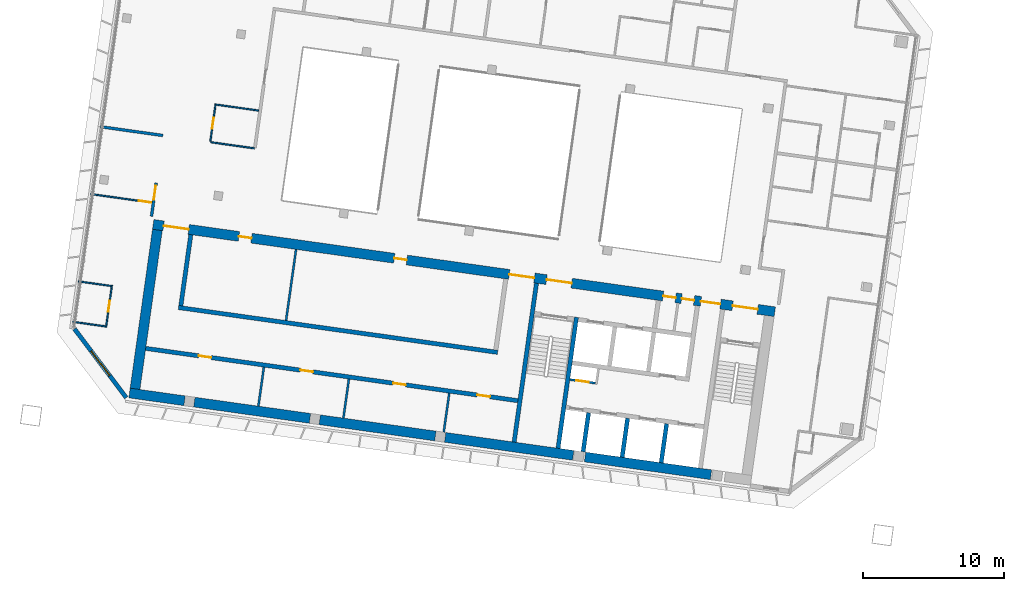
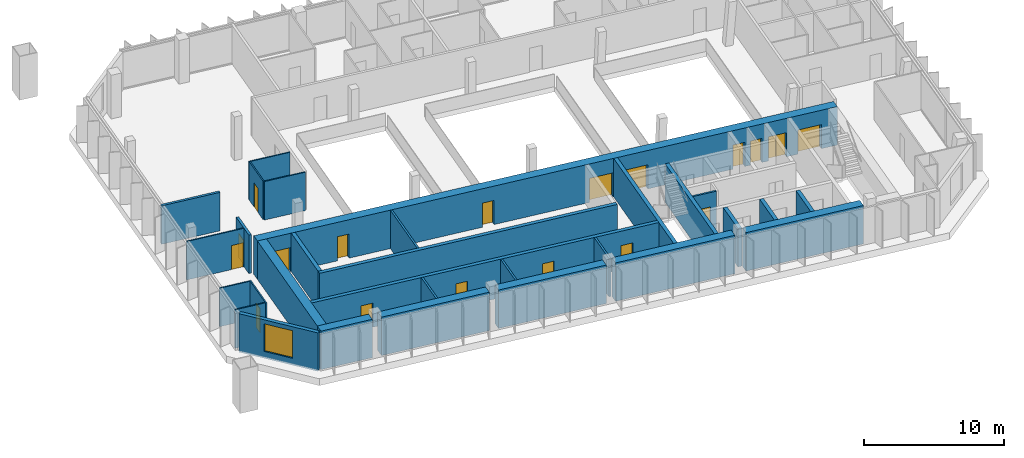
# One storey, part 13 of 23: 30 walls, 18 doors, 1 window, 19 openings.
"""IFC4 building model written with IfcOpenShell, lengths in metres."""

from ifc_helpers import new_model, si_unit, direction, frame, frame_2d, origin, place, context, subcontext, project, spatial, rectangle, extrude, material, layer, layer_set, type_object, element, fill, save


model = new_model("IFC4")

# Units and contexts
model_context = context("Model", 3, precision=1e-05, world=origin(), true_north=direction((0.0, 1.0)))
body_context = subcontext(model_context, "Body", "Model", "MODEL_VIEW")
ifc_project = project(units=[si_unit("LENGTHUNIT", "METRE"), si_unit("AREAUNIT", "SQUARE_METRE"), si_unit("VOLUMEUNIT", "CUBIC_METRE"), si_unit("PLANEANGLEUNIT", "RADIAN"), si_unit("MASSUNIT", "GRAM", prefix="KILO")], contexts=[model_context])

# Site, building, storey
site_placement = place(None, origin())
site = spatial("IfcSite", under=ifc_project, at=site_placement, CompositionType="ELEMENT")
building_placement = place(site_placement, origin())
building = spatial("IfcBuilding", under=site, at=building_placement, Name="Mirante Cascada Hotel Towers", CompositionType="ELEMENT")
storey_placement = place(building_placement, frame((0.0, 0.0, 199.2)))
storey = spatial("IfcBuildingStorey", under=building, at=storey_placement, Name="L47", CompositionType="ELEMENT", Elevation=199.2)

# Wall
ifc_material_1 = material(Name="Fire-rated plasterboard on metal studs")
ifc_layer_1 = layer(ifc_material_1, 0.2)
ifc_layer_set_1 = layer_set([ifc_layer_1], Name="Compartment wall 200 EI 120")
wall_type_1 = type_object("IfcWallType", Name="Compartment wall 200 EI 120", PredefinedType="PARTITIONING", material=ifc_layer_set_1)
wall_1_placement = place(storey_placement, frame((-79.0183, 4.8891, 0.0), z_axis=(0.0, 0.0, 1.0), x_axis=(-0.9902705, 0.1391561, 0.0)))
element("IfcWall", 1, at=wall_1_placement, inside=storey, type_object=wall_type_1, Name="Wall 1-L47-10", PredefinedType="PARTITIONING", context=body_context, shape_type="SweptSolid", body=[
    extrude(rectangle(XDim=4.5, YDim=0.2, at=frame_2d((2.25, 0.0))), origin(), (0.0, 0.0, 1.0), 3.35),
])

# Wall, opening, door
wall_2_placement = place(storey_placement, frame((-79.4915, 1.5222, 0.0), z_axis=(0.0, 0.0, 1.0), x_axis=(-0.1391635, -0.9902694, 0.0)))
wall_2 = element("IfcWall", 2, at=wall_2_placement, inside=storey, type_object=wall_type_1, Name="Wall 1-L47-55", PredefinedType="PARTITIONING", context=body_context, shape_type="SweptSolid", body=[
    extrude(rectangle(XDim=2.4001, YDim=0.2, at=frame_2d((1.2, 0.0))), origin(), (0.0, 0.0, 1.0), 3.35),
])
opening_1_placement = place(wall_2_placement, frame((0.2167, 0.0, 0.0)))
opening_1 = element("IfcOpeningElement", 3, at=opening_1_placement, cuts=wall_2, Name="Opening D1-L47-33", PredefinedType="OPENING", context=body_context, shape_type="SweptSolid", body=[
    extrude(rectangle(XDim=1.0, YDim=2.1, at=frame_2d((0.5, 1.05))), frame((0.0, 0.1, 0.0), z_axis=(0.0, -1.0, 0.0), x_axis=(1.0, 0.0, 0.0)), (0.0, 0.0, 1.0), 0.2),
])
ifc_material_2 = material(Name="Fire-rated timber door leaf", Category="wood")
door_type_1 = type_object("IfcDoorType", Name="Entrance door DG1 1000x2100 EI 60", OperationType="SINGLE_SWING_LEFT", PredefinedType="DOOR", material=ifc_material_2)
door_1_placement = place(opening_1_placement, frame((1.0, 0.0, 0.0), z_axis=(0.0, 0.0, 1.0), x_axis=(-1.0, 0.0, 0.0)))
door_1 = element("IfcDoor", 4, at=door_1_placement, inside=storey, type_object=door_type_1, Name="Door D1-L47-33", OperationType="SINGLE_SWING_RIGHT", OverallHeight=2.1, OverallWidth=1.0, PredefinedType="DOOR", context=body_context, shape_type="SweptSolid", body=[
    extrude(rectangle(XDim=1.0, YDim=2.1, at=frame_2d((0.5, 1.05))), frame((0.0, 0.025, 0.0), z_axis=(0.0, -1.0, 0.0), x_axis=(1.0, 0.0, 0.0)), (0.0, 0.0, 1.0), 0.05),
])
fill(opening_1, door_1)

ifc_material_3 = material(Name="Masonry block", Category="masonry")
ifc_layer_2 = layer(ifc_material_3, 0.15)
ifc_layer_set_2 = layer_set([ifc_layer_2], Name="Core room partition 150 block EI 30")
wall_type_2 = type_object("IfcWallType", Name="Core room partition 150 block EI 30", PredefinedType="PARTITIONING", material=ifc_layer_set_2)
wall_3_placement = place(storey_placement, frame((-48.2933, -12.7083, 0.0), z_axis=(0.0, 0.0, 1.0), x_axis=(-0.990268, 0.1391734, 0.0)))
wall_3 = element("IfcWall", 5, at=wall_3_placement, inside=storey, type_object=wall_type_2, Name="Core wall partition T1 L47 3", PredefinedType="PARTITIONING", context=body_context, shape_type="SweptSolid", body=[
    extrude(rectangle(XDim=1.8251, YDim=0.15, at=frame_2d((0.9126, 0.0))), origin(), (0.0, 0.0, 1.0), 3.35),
])
opening_2_placement = place(wall_3_placement, frame((0.4625, 0.0, 0.0)))
opening_2 = element("IfcOpeningElement", 6, at=opening_2_placement, cuts=wall_3, Name="Opening D1-47-C15", PredefinedType="OPENING", context=body_context, shape_type="SweptSolid", body=[
    extrude(rectangle(XDim=0.9, YDim=2.1, at=frame_2d((0.45, 1.05))), frame((0.0, 0.075, 0.0), z_axis=(0.0, -1.0, 0.0), x_axis=(1.0, 0.0, 0.0)), (0.0, 0.0, 1.0), 0.15),
])
ifc_material_4 = material(Name="Hollow metal fire door leaf")
door_type_2 = type_object("IfcDoorType", Name="Fire door 900x2100 FD60", OperationType="NOTDEFINED", PredefinedType="DOOR", material=ifc_material_4)
door_2_placement = place(opening_2_placement, origin())
door_2 = element("IfcDoor", 7, at=door_2_placement, inside=storey, type_object=door_type_2, Name="Riser door T1 L47 15", OperationType="SINGLE_SWING_LEFT", OverallHeight=2.1, OverallWidth=0.9, PredefinedType="DOOR", context=body_context, shape_type="SweptSolid", body=[
    extrude(rectangle(XDim=0.9, YDim=2.1, at=frame_2d((0.45, 1.05))), frame((0.0, 0.025, 0.0), z_axis=(0.0, -1.0, 0.0), x_axis=(1.0, 0.0, 0.0)), (0.0, 0.0, 1.0), 0.05),
])
fill(opening_2, door_2)

# Walls
for number, where, z_axis, x_axis, name in (
    (8, (-59.0582, -16.194, 0.0), (0.0, 0.0, 1.0), (0.139181, 0.990267, 0.0), "Core wall partition T1 L47 6"),
    (9, (-66.1881, -15.192, 0.0), (0.0, 0.0, 1.0), (0.139141, 0.9902726, 0.0), "Core wall partition T1 L47 7"),
    (10, (-72.2288, -14.343, 0.0), (0.0, 0.0, 1.0), (0.139181, 0.990267, 0.0), "Core wall partition T1 L47 8"),
):
    element("IfcWall", number, at=place(storey_placement, frame(where, z_axis=z_axis, x_axis=x_axis)), inside=storey, type_object=wall_type_2, Name=name, PredefinedType="PARTITIONING", context=body_context, shape_type="SweptSolid", body=[
        extrude(rectangle(XDim=2.8, YDim=0.15, at=frame_2d((1.4, 0.0))), origin(), (0.0, 0.0, 1.0), 3.35),
    ])
wall_4_placement = place(storey_placement, frame((-70.2627, -8.2574, 0.0), z_axis=(0.0, 0.0, 1.0), x_axis=(0.1391755, 0.9902677, 0.0)))
element("IfcWall", 11, at=wall_4_placement, inside=storey, type_object=wall_type_2, Name="Core wall partition T1 L47 9", PredefinedType="PARTITIONING", context=body_context, shape_type="SweptSolid", body=[
    extrude(rectangle(XDim=5.1, YDim=0.15, at=frame_2d((2.55, 0.0))), origin(), (0.0, 0.0, 1.0), 3.35),
])

# Wall, openings, doors
ifc_material_5 = material(Name="Masonry block", Category="masonry")
ifc_layer_3 = layer(ifc_material_5, 0.3)
ifc_layer_set_3 = layer_set([ifc_layer_3], Name="Core wall 300 block EI 120")
wall_type_3 = type_object("IfcWallType", Name="Core wall 300 block EI 120", PredefinedType="PARTITIONING", material=ifc_layer_set_3)
wall_5_placement = place(storey_placement, frame((-53.7953, -13.9547, 0.0), z_axis=(0.0, 0.0, 1.0), x_axis=(-0.9902677, 0.1391758, 0.0)))
wall_5 = element("IfcWall", 12, at=wall_5_placement, inside=storey, type_object=wall_type_3, Name="Core wall partition T1 L47 5", PredefinedType="PARTITIONING", context=body_context, shape_type="SweptSolid", body=[
    extrude(rectangle(XDim=26.7001, YDim=0.3, at=frame_2d((13.35, 0.0))), origin(), (0.0, 0.0, 1.0), 3.35),
])
opening_3_placement = place(wall_5_placement, frame((2.0, 0.0, 0.0)))
opening_3 = element("IfcOpeningElement", 13, at=opening_3_placement, cuts=wall_5, Name="Opening D1-47-C18", PredefinedType="OPENING", context=body_context, shape_type="SweptSolid", body=[
    extrude(rectangle(XDim=0.9, YDim=2.1, at=frame_2d((0.45, 1.05))), frame((0.0, 0.15, 0.0), z_axis=(0.0, -1.0, 0.0), x_axis=(1.0, 0.0, 0.0)), (0.0, 0.0, 1.0), 0.3),
])
opening_4_placement = place(wall_5_placement, frame((8.05, 0.0, 0.0)))
opening_4 = element("IfcOpeningElement", 14, at=opening_4_placement, cuts=wall_5, Name="Opening D1-47-C19", PredefinedType="OPENING", context=body_context, shape_type="SweptSolid", body=[
    extrude(rectangle(XDim=0.9, YDim=2.1, at=frame_2d((0.45, 1.05))), frame((0.0, 0.15, 0.0), z_axis=(0.0, -1.0, 0.0), x_axis=(1.0, 0.0, 0.0)), (0.0, 0.0, 1.0), 0.3),
])
opening_5_placement = place(wall_5_placement, frame((14.7, 0.0, 0.0)))
opening_5 = element("IfcOpeningElement", 15, at=opening_5_placement, cuts=wall_5, Name="Opening D1-47-C20", PredefinedType="OPENING", context=body_context, shape_type="SweptSolid", body=[
    extrude(rectangle(XDim=0.9, YDim=2.1, at=frame_2d((0.45, 1.05))), frame((0.0, 0.15, 0.0), z_axis=(0.0, -1.0, 0.0), x_axis=(1.0, 0.0, 0.0)), (0.0, 0.0, 1.0), 0.3),
])
opening_6_placement = place(wall_5_placement, frame((22.0, 0.0, 0.0)))
opening_6 = element("IfcOpeningElement", 16, at=opening_6_placement, cuts=wall_5, Name="Opening D1-47-C21", PredefinedType="OPENING", context=body_context, shape_type="SweptSolid", body=[
    extrude(rectangle(XDim=0.9, YDim=2.1, at=frame_2d((0.45, 1.05))), frame((0.0, 0.15, 0.0), z_axis=(0.0, -1.0, 0.0), x_axis=(1.0, 0.0, 0.0)), (0.0, 0.0, 1.0), 0.3),
])
door_3_placement = place(opening_3_placement, origin())
door_3 = element("IfcDoor", 17, at=door_3_placement, inside=storey, type_object=door_type_2, Name="Room door T1 L47 18", OperationType="SINGLE_SWING_RIGHT", OverallHeight=2.1, OverallWidth=0.9, PredefinedType="DOOR", context=body_context, shape_type="SweptSolid", body=[
    extrude(rectangle(XDim=0.9, YDim=2.1, at=frame_2d((0.45, 1.05))), frame((0.0, 0.025, 0.0), z_axis=(0.0, -1.0, 0.0), x_axis=(1.0, 0.0, 0.0)), (0.0, 0.0, 1.0), 0.05),
])
fill(opening_3, door_3)
door_4_placement = place(opening_4_placement, origin())
door_4 = element("IfcDoor", 18, at=door_4_placement, inside=storey, type_object=door_type_2, Name="Room door T1 L47 19", OperationType="SINGLE_SWING_RIGHT", OverallHeight=2.1, OverallWidth=0.9, PredefinedType="DOOR", context=body_context, shape_type="SweptSolid", body=[
    extrude(rectangle(XDim=0.9, YDim=2.1, at=frame_2d((0.45, 1.05))), frame((0.0, 0.025, 0.0), z_axis=(0.0, -1.0, 0.0), x_axis=(1.0, 0.0, 0.0)), (0.0, 0.0, 1.0), 0.05),
])
fill(opening_4, door_4)
door_5_placement = place(opening_5_placement, origin())
door_5 = element("IfcDoor", 19, at=door_5_placement, inside=storey, type_object=door_type_2, Name="Room door T1 L47 20", OperationType="SINGLE_SWING_LEFT", OverallHeight=2.1, OverallWidth=0.9, PredefinedType="DOOR", context=body_context, shape_type="SweptSolid", body=[
    extrude(rectangle(XDim=0.9, YDim=2.1, at=frame_2d((0.45, 1.05))), frame((0.0, 0.025, 0.0), z_axis=(0.0, -1.0, 0.0), x_axis=(1.0, 0.0, 0.0)), (0.0, 0.0, 1.0), 0.05),
])
fill(opening_5, door_5)
door_6_placement = place(opening_6_placement, origin())
door_6 = element("IfcDoor", 20, at=door_6_placement, inside=storey, type_object=door_type_2, Name="Room door T1 L47 21", OperationType="SINGLE_SWING_LEFT", OverallHeight=2.1, OverallWidth=0.9, PredefinedType="DOOR", context=body_context, shape_type="SweptSolid", body=[
    extrude(rectangle(XDim=0.9, YDim=2.1, at=frame_2d((0.45, 1.05))), frame((0.0, 0.025, 0.0), z_axis=(0.0, -1.0, 0.0), x_axis=(1.0, 0.0, 0.0)), (0.0, 0.0, 1.0), 0.05),
])
fill(opening_6, door_6)

# Walls
ifc_material_6 = material(Name="Plasterboard on metal studs")
ifc_layer_4 = layer(ifc_material_6, 0.1)
ifc_layer_set_4 = layer_set([ifc_layer_4], Name="Partition 100")
wall_type_4 = type_object("IfcWallType", Name="Partition 100", PredefinedType="PARTITIONING", material=ifc_layer_set_4)
for number, where, z_axis, x_axis, name in (
    (21, (-85.4229, -8.3484, 0.0), (0.0, 0.0, 1.0), (0.9902653, -0.1391929, 0.0), "Wall 1-L47-03"),
    (22, (-82.6922, -5.8037, 0.0), (0.0, 0.0, 1.0), (-0.9902653, 0.1391929, 0.0), "Wall 1-L47-04"),
):
    element("IfcWall", number, at=place(storey_placement, frame(where, z_axis=z_axis, x_axis=x_axis)), inside=storey, type_object=wall_type_4, Name=name, PredefinedType="PARTITIONING", context=body_context, shape_type="SweptSolid", body=[
        extrude(rectangle(XDim=2.35, YDim=0.1, at=frame_2d((1.175, 0.0))), origin(), (0.0, 0.0, 1.0), 3.35),
    ])

# Wall, opening, door
wall_6_placement = place(storey_placement, frame((-79.79, 0.1167, 0.0), z_axis=(0.0, 0.0, 1.0), x_axis=(-0.9902665, 0.1391841, 0.0)))
wall_6 = element("IfcWall", 23, at=wall_6_placement, inside=storey, type_object=wall_type_4, Name="Wall 1-L47-06", PredefinedType="PARTITIONING", context=body_context, shape_type="SweptSolid", body=[
    extrude(rectangle(XDim=4.3999, YDim=0.1, at=frame_2d((2.2, 0.0))), origin(), (0.0, 0.0, 1.0), 3.35),
])
opening_7_placement = place(wall_6_placement, frame((0.05, 0.0, 0.0)))
opening_7 = element("IfcOpeningElement", 24, at=opening_7_placement, cuts=wall_6, Name="Opening D1-L47-01", PredefinedType="OPENING", context=body_context, shape_type="SweptSolid", body=[
    extrude(rectangle(XDim=0.9, YDim=2.1, at=frame_2d((0.45, 1.05))), frame((0.0, 0.05, 0.0), z_axis=(0.0, -1.0, 0.0), x_axis=(1.0, 0.0, 0.0)), (0.0, 0.0, 1.0), 0.1),
])
ifc_material_7 = material(Name="Timber door leaf", Category="wood")
door_type_3 = type_object("IfcDoorType", Name="Room door DG3 900x2100", OperationType="SINGLE_SWING_LEFT", PredefinedType="DOOR", material=ifc_material_7)
door_7_placement = place(opening_7_placement, origin())
door_7 = element("IfcDoor", 25, at=door_7_placement, inside=storey, type_object=door_type_3, Name="Door D1-L47-01", OperationType="SINGLE_SWING_LEFT", OverallHeight=2.1, OverallWidth=0.9, PredefinedType="DOOR", context=body_context, shape_type="SweptSolid", body=[
    extrude(rectangle(XDim=0.9, YDim=2.1, at=frame_2d((0.45, 1.05))), frame((0.0, 0.025, 0.0), z_axis=(0.0, -1.0, 0.0), x_axis=(1.0, 0.0, 0.0)), (0.0, 0.0, 1.0), 0.05),
])
fill(opening_7, door_7)

# Walls
wall_7_placement = place(storey_placement, frame((-75.6216, 4.4117, 0.0), z_axis=(0.0, 0.0, 1.0), x_axis=(0.990268, -0.1391738, 0.0)))
element("IfcWall", 26, at=wall_7_placement, inside=storey, type_object=wall_type_4, Name="Wall 1-L47-09", PredefinedType="PARTITIONING", context=body_context, shape_type="SweptSolid", body=[
    extrude(rectangle(XDim=3.14, YDim=0.1, at=frame_2d((1.57, 0.0))), origin(), (0.0, 0.0, 1.0), 3.35),
])
wall_8_placement = place(storey_placement, frame((-75.3251, 7.0966, 0.0), z_axis=(0.0, 0.0, 1.0), x_axis=(0.9902676, -0.1391765, 0.0)))
element("IfcWall", 27, at=wall_8_placement, inside=storey, type_object=wall_type_4, Name="Wall 1-L47-13", PredefinedType="PARTITIONING", context=body_context, shape_type="SweptSolid", body=[
    extrude(rectangle(XDim=3.15, YDim=0.1, at=frame_2d((1.575, 0.0))), origin(), (0.0, 0.0, 1.0), 3.35),
])

# Wall, opening, door
wall_9_placement = place(storey_placement, frame((-75.6444, 4.4654, 0.0), z_axis=(0.0, 0.0, 1.0), x_axis=(0.1391918, 0.9902654, 0.0)))
wall_9 = element("IfcWall", 28, at=wall_9_placement, inside=storey, type_object=wall_type_4, Name="Wall 1-L47-54", PredefinedType="PARTITIONING", context=body_context, shape_type="SweptSolid", body=[
    extrude(rectangle(XDim=2.6, YDim=0.1, at=frame_2d((1.3, 0.0))), origin(), (0.0, 0.0, 1.0), 3.35),
])
opening_8_placement = place(wall_9_placement, frame((0.9, 0.0, 0.0)))
opening_8 = element("IfcOpeningElement", 29, at=opening_8_placement, cuts=wall_9, Name="Opening D1-L47-32", PredefinedType="OPENING", context=body_context, shape_type="SweptSolid", body=[
    extrude(rectangle(XDim=0.8, YDim=2.1, at=frame_2d((0.4, 1.05))), frame((0.0, 0.05, 0.0), z_axis=(0.0, -1.0, 0.0), x_axis=(1.0, 0.0, 0.0)), (0.0, 0.0, 1.0), 0.1),
])
ifc_material_8 = material(Name="Timber door leaf", Category="wood")
door_type_4 = type_object("IfcDoorType", Name="Bathroom door DG4 800x2100", OperationType="SINGLE_SWING_LEFT", PredefinedType="DOOR", material=ifc_material_8)
door_8_placement = place(opening_8_placement, origin())
door_8 = element("IfcDoor", 30, at=door_8_placement, inside=storey, type_object=door_type_4, Name="Door D1-L47-32", OperationType="SINGLE_SWING_LEFT", OverallHeight=2.1, OverallWidth=0.8, PredefinedType="DOOR", context=body_context, shape_type="SweptSolid", body=[
    extrude(rectangle(XDim=0.8, YDim=2.1, at=frame_2d((0.4, 1.05))), frame((0.0, 0.025, 0.0), z_axis=(0.0, -1.0, 0.0), x_axis=(1.0, 0.0, 0.0)), (0.0, 0.0, 1.0), 0.05),
])
fill(opening_8, door_8)

wall_10_placement = place(storey_placement, frame((-83.0532, -8.7319, 0.0), z_axis=(0.0, 0.0, 1.0), x_axis=(0.139167, 0.9902689, 0.0)))
wall_10 = element("IfcWall", 31, at=wall_10_placement, inside=storey, type_object=wall_type_4, Name="Wall 1-L47-56", PredefinedType="PARTITIONING", context=body_context, shape_type="SweptSolid", body=[
    extrude(rectangle(XDim=3.0, YDim=0.1, at=frame_2d((1.5, 0.0))), origin(), (0.0, 0.0, 1.0), 3.35),
])
opening_9_placement = place(wall_10_placement, frame((1.1, 0.0, 0.0)))
opening_9 = element("IfcOpeningElement", 32, at=opening_9_placement, cuts=wall_10, Name="Opening D1-L47-34", PredefinedType="OPENING", context=body_context, shape_type="SweptSolid", body=[
    extrude(rectangle(XDim=0.8, YDim=2.1, at=frame_2d((0.4, 1.05))), frame((0.0, 0.05, 0.0), z_axis=(0.0, -1.0, 0.0), x_axis=(1.0, 0.0, 0.0)), (0.0, 0.0, 1.0), 0.1),
])
door_9_placement = place(opening_9_placement, frame((0.8, 0.0, 0.0), z_axis=(0.0, 0.0, 1.0), x_axis=(-1.0, 0.0, 0.0)))
door_9 = element("IfcDoor", 33, at=door_9_placement, inside=storey, type_object=door_type_4, Name="Door D1-L47-34", OperationType="SINGLE_SWING_RIGHT", OverallHeight=2.1, OverallWidth=0.8, PredefinedType="DOOR", context=body_context, shape_type="SweptSolid", body=[
    extrude(rectangle(XDim=0.8, YDim=2.1, at=frame_2d((0.4, 1.05))), frame((0.0, 0.025, 0.0), z_axis=(0.0, -1.0, 0.0), x_axis=(1.0, 0.0, 0.0)), (0.0, 0.0, 1.0), 0.05),
])
fill(opening_9, door_9)

# Wall, opening, window
ifc_material_9 = material(Name="Precast concrete C40/50", Category="concrete")
ifc_layer_5 = layer(ifc_material_9, 0.3)
ifc_layer_set_5 = layer_set([ifc_layer_5], Name="Precast concrete C40/50 cladding wall 300")
wall_type_5 = type_object("IfcWallType", Name="Precast concrete C40/50 cladding wall 300", PredefinedType="STANDARD", material=ifc_layer_set_5)
wall_11_placement = place(storey_placement, frame((-81.6175, -13.7366, 0.0), z_axis=(0.0, 0.0, 1.0), x_axis=(-0.6018141, 0.7986362, 0.0)))
wall_11 = element("IfcWall", 34, at=wall_11_placement, inside=storey, type_object=wall_type_5, Name="Corner cladding wall T1 L47 rear outer", PredefinedType="STANDARD", context=body_context, shape_type="SweptSolid", body=[
    extrude(rectangle(XDim=6.1157, YDim=0.3, at=frame_2d((3.0578, 0.0))), origin(), (0.0, 0.0, 1.0), 3.35),
])
opening_10_placement = place(wall_11_placement, frame((1.9578, 0.0, 0.6)))
opening_10 = element("IfcOpeningElement", 35, at=opening_10_placement, cuts=wall_11, Name="Opening W1-47-01", PredefinedType="OPENING", context=body_context, shape_type="SweptSolid", body=[
    extrude(rectangle(XDim=2.2, YDim=2.4, at=frame_2d((1.1, 1.2))), frame((0.0, 0.15, 0.0), z_axis=(0.0, -1.0, 0.0), x_axis=(1.0, 0.0, 0.0)), (0.0, 0.0, 1.0), 0.3),
])
ifc_material_10 = material(Name="Aluminium frame with clear double glazing", Category="aluminium")
window_type = type_object("IfcWindowType", Name="Corner suite window 2200x2400", PartitioningType="DOUBLE_PANEL_VERTICAL", PredefinedType="WINDOW", material=ifc_material_10)
window_placement = place(opening_10_placement, origin())
window = element("IfcWindow", 36, at=window_placement, inside=storey, type_object=window_type, Name="Window W1-47-01", OverallHeight=2.4, OverallWidth=2.2, PartitioningType="SINGLE_PANEL", PredefinedType="WINDOW", context=body_context, shape_type="SweptSolid", body=[
    extrude(rectangle(XDim=2.2, YDim=2.4, at=frame_2d((1.1, 1.2))), frame((0.0, 0.03, 0.0), z_axis=(0.0, -1.0, 0.0), x_axis=(1.0, 0.0, 0.0)), (0.0, 0.0, 1.0), 0.06),
])
fill(opening_10, window)

# Walls
ifc_material_11 = material(Name="Concrete C50/60", Category="concrete")
ifc_layer_6 = layer(ifc_material_11, 0.3)
ifc_layer_set_6 = layer_set([ifc_layer_6], Name="RC core wall 300 C50/60")
wall_type_6 = type_object("IfcWallType", Name="RC core wall 300 C50/60", PredefinedType="SHEAR", material=ifc_layer_set_6)
wall_12_placement = place(storey_placement, frame((-50.938, -17.3352, 0.0), z_axis=(0.0, 0.0, 1.0), x_axis=(0.1391706, 0.9902684, 0.0)))
element("IfcWall", 37, at=wall_12_placement, inside=storey, type_object=wall_type_6, Name="Core wall T1:L47:6", PredefinedType="SHEAR", context=body_context, shape_type="SweptSolid", body=[
    extrude(rectangle(XDim=9.4, YDim=0.3, at=frame_2d((4.7, 0.0))), origin(), (0.0, 0.0, 1.0), 3.35),
])
wall_13_placement = place(storey_placement, frame((-54.0574, -16.8968, 0.0), z_axis=(0.0, 0.0, 1.0), x_axis=(0.1391761, 0.9902677, 0.0)))
element("IfcWall", 38, at=wall_13_placement, inside=storey, type_object=wall_type_6, Name="Core wall T1:L47:7", PredefinedType="SHEAR", context=body_context, shape_type="SweptSolid", body=[
    extrude(rectangle(XDim=11.3999, YDim=0.3, at=frame_2d((5.7, 0.0))), origin(), (0.0, 0.0, 1.0), 3.35),
])
wall_14_placement = place(storey_placement, frame((-43.61, -18.3651, 0.0), z_axis=(0.0, 0.0, 1.0), x_axis=(0.1391459, 0.9902719, 0.0)))
element("IfcWall", 39, at=wall_14_placement, inside=storey, type_object=wall_type_6, Name="Core wall T1:L47:13", PredefinedType="SHEAR", context=body_context, shape_type="SweptSolid", body=[
    extrude(rectangle(XDim=2.7999, YDim=0.3, at=frame_2d((1.4, 0.0))), origin(), (0.0, 0.0, 1.0), 3.35),
])
wall_15_placement = place(storey_placement, frame((-46.3828, -17.9754, 0.0), z_axis=(0.0, 0.0, 1.0), x_axis=(0.139181, 0.990267, 0.0)))
element("IfcWall", 40, at=wall_15_placement, inside=storey, type_object=wall_type_6, Name="Core wall T1:L47:14", PredefinedType="SHEAR", context=body_context, shape_type="SweptSolid", body=[
    extrude(rectangle(XDim=2.8, YDim=0.3, at=frame_2d((1.4, 0.0))), origin(), (0.0, 0.0, 1.0), 3.35),
])
wall_16_placement = place(storey_placement, frame((-49.1555, -17.5857, 0.0), z_axis=(0.0, 0.0, 1.0), x_axis=(0.1391459, 0.9902719, 0.0)))
element("IfcWall", 41, at=wall_16_placement, inside=storey, type_object=wall_type_6, Name="Core wall T1:L47:15", PredefinedType="SHEAR", context=body_context, shape_type="SweptSolid", body=[
    extrude(rectangle(XDim=2.7999, YDim=0.3, at=frame_2d((1.4, 0.0))), origin(), (0.0, 0.0, 1.0), 3.35),
])
wall_17_placement = place(storey_placement, frame((-55.2315, -10.5214, 0.0), z_axis=(0.0, 0.0, 1.0), x_axis=(-0.9902678, 0.1391749, 0.0)))
element("IfcWall", 42, at=wall_17_placement, inside=storey, type_object=wall_type_6, Name="Core wall T1:L47:27", PredefinedType="SHEAR", context=body_context, shape_type="SweptSolid", body=[
    extrude(rectangle(XDim=22.9, YDim=0.3, at=frame_2d((11.45, 0.0))), origin(), (0.0, 0.0, 1.0), 3.35),
])
wall_18_placement = place(storey_placement, frame((-77.7392, -7.2067, 0.0), z_axis=(0.0, 0.0, 1.0), x_axis=(0.1391755, 0.9902677, 0.0)))
element("IfcWall", 43, at=wall_18_placement, inside=storey, type_object=wall_type_6, Name="Core wall T1:L47:29", PredefinedType="SHEAR", context=body_context, shape_type="SweptSolid", body=[
    extrude(rectangle(XDim=5.1, YDim=0.3, at=frame_2d((2.55, 0.0))), origin(), (0.0, 0.0, 1.0), 3.35),
])
ifc_material_12 = material(Name="Concrete C50/60", Category="concrete")
ifc_layer_7 = layer(ifc_material_12, 0.7)
ifc_layer_set_7 = layer_set([ifc_layer_7], Name="RC core wall 700 C50/60")
wall_type_7 = type_object("IfcWallType", Name="RC core wall 700 C50/60", PredefinedType="SHEAR", material=ifc_layer_set_7)
wall_19_placement = place(storey_placement, frame((-40.0724, -19.2157, 0.0), z_axis=(0.0, 0.0, 1.0), x_axis=(-0.9902694, 0.1391638, 0.0)))
element("IfcWall", 44, at=wall_19_placement, inside=storey, type_object=wall_type_7, Name="Core wall T1:L47:1.2", PredefinedType="SHEAR", context=body_context, shape_type="SweptSolid", body=[
    extrude(rectangle(XDim=9.0368, YDim=0.7, at=frame_2d((4.5184, 0.0))), origin(), (0.0, 0.0, 1.0), 3.35),
])
wall_20_placement = place(storey_placement, frame((-49.862, -17.8399, 0.0), z_axis=(0.0, 0.0, 1.0), x_axis=(-0.9902683, 0.1391714, 0.0)))
element("IfcWall", 45, at=wall_20_placement, inside=storey, type_object=wall_type_7, Name="Core wall T1:L47:1.3", PredefinedType="SHEAR", context=body_context, shape_type="SweptSolid", body=[
    extrude(rectangle(XDim=9.1858, YDim=0.7, at=frame_2d((4.5929, 0.0))), origin(), (0.0, 0.0, 1.0), 3.35),
])
for number, where, z_axis, x_axis, name in (
    (46, (-59.6516, -16.4641, 0.0), (0.0, 0.0, 1.0), (-0.990267, 0.139181, 0.0), "Core wall T1:L47:1.4"),
    (47, (-68.564, -15.2115, 0.0), (0.0, 0.0, 1.0), (-0.9902686, 0.1391692, 0.0), "Core wall T1:L47:1.5"),
):
    element("IfcWall", number, at=place(storey_placement, frame(where, z_axis=z_axis, x_axis=x_axis)), inside=storey, type_object=wall_type_7, Name=name, PredefinedType="SHEAR", context=body_context, shape_type="SweptSolid", body=[
        extrude(rectangle(XDim=8.3, YDim=0.7, at=frame_2d((4.15, 0.0))), origin(), (0.0, 0.0, 1.0), 3.35),
    ])
wall_21_placement = place(storey_placement, frame((-77.4764, -13.9589, 0.0), z_axis=(0.0, 0.0, 1.0), x_axis=(-0.9902694, 0.1391633, 0.0)))
element("IfcWall", 48, at=wall_21_placement, inside=storey, type_object=wall_type_7, Name="Core wall T1:L47:1.6", PredefinedType="SHEAR", context=body_context, shape_type="SweptSolid", body=[
    extrude(rectangle(XDim=3.95, YDim=0.7, at=frame_2d((1.975, 0.0))), origin(), (0.0, 0.0, 1.0), 3.35),
])

# Wall, openings, doors
wall_22_placement = place(storey_placement, frame((-35.538, -7.6341, 0.0), z_axis=(0.0, 0.0, 1.0), x_axis=(-0.9902682, 0.1391725, 0.0)))
wall_22 = element("IfcWall", 49, at=wall_22_placement, inside=storey, type_object=wall_type_7, Name="Core wall T1:L47:2", PredefinedType="SHEAR", context=body_context, shape_type="SweptSolid", body=[
    extrude(rectangle(XDim=44.6, YDim=0.7, at=frame_2d((22.3, 0.0))), origin(), (0.0, 0.0, 1.0), 3.35),
])
opening_11_placement = place(wall_22_placement, frame((1.225, 0.0, 0.0)))
opening_11 = element("IfcOpeningElement", 50, at=opening_11_placement, cuts=wall_22, Name="Opening D1-47-C08", PredefinedType="OPENING", context=body_context, shape_type="SweptSolid", body=[
    extrude(rectangle(XDim=1.8, YDim=2.1, at=frame_2d((0.9, 1.05))), frame((0.0, 0.35, 0.0), z_axis=(0.0, -1.0, 0.0), x_axis=(1.0, 0.0, 0.0)), (0.0, 0.0, 1.0), 0.7),
])
opening_12_placement = place(wall_22_placement, frame((14.575, 0.0, 0.0)))
opening_12 = element("IfcOpeningElement", 51, at=opening_12_placement, cuts=wall_22, Name="Opening D1-47-C10", PredefinedType="OPENING", context=body_context, shape_type="SweptSolid", body=[
    extrude(rectangle(XDim=1.8, YDim=2.1, at=frame_2d((0.9, 1.05))), frame((0.0, 0.35, 0.0), z_axis=(0.0, -1.0, 0.0), x_axis=(1.0, 0.0, 0.0)), (0.0, 0.0, 1.0), 0.7),
])
opening_13_placement = place(wall_22_placement, frame((3.9, 0.0, 0.0)))
opening_13 = element("IfcOpeningElement", 52, at=opening_13_placement, cuts=wall_22, Name="Opening D1-47-C11", PredefinedType="OPENING", context=body_context, shape_type="SweptSolid", body=[
    extrude(rectangle(XDim=1.4, YDim=2.1, at=frame_2d((0.7, 1.05))), frame((0.0, 0.35, 0.0), z_axis=(0.0, -1.0, 0.0), x_axis=(1.0, 0.0, 0.0)), (0.0, 0.0, 1.0), 0.7),
])
opening_14_placement = place(wall_22_placement, frame((17.25, 0.0, 0.0)))
opening_14 = element("IfcOpeningElement", 53, at=opening_14_placement, cuts=wall_22, Name="Opening D1-47-C12", PredefinedType="OPENING", context=body_context, shape_type="SweptSolid", body=[
    extrude(rectangle(XDim=1.8, YDim=2.1, at=frame_2d((0.9, 1.05))), frame((0.0, 0.35, 0.0), z_axis=(0.0, -1.0, 0.0), x_axis=(1.0, 0.0, 0.0)), (0.0, 0.0, 1.0), 0.7),
])
opening_15_placement = place(wall_22_placement, frame((42.05, 0.0, 0.0)))
opening_15 = element("IfcOpeningElement", 54, at=opening_15_placement, cuts=wall_22, Name="Opening D1-47-C13", PredefinedType="OPENING", context=body_context, shape_type="SweptSolid", body=[
    extrude(rectangle(XDim=1.8, YDim=2.1, at=frame_2d((0.9, 1.05))), frame((0.0, 0.35, 0.0), z_axis=(0.0, -1.0, 0.0), x_axis=(1.0, 0.0, 0.0)), (0.0, 0.0, 1.0), 0.7),
])
opening_16_placement = place(wall_22_placement, frame((5.7875, 0.0, 0.0)))
opening_16 = element("IfcOpeningElement", 55, at=opening_16_placement, cuts=wall_22, Name="Opening D1-47-C16", PredefinedType="OPENING", context=body_context, shape_type="SweptSolid", body=[
    extrude(rectangle(XDim=0.9, YDim=2.1, at=frame_2d((0.45, 1.05))), frame((0.0, 0.35, 0.0), z_axis=(0.0, -1.0, 0.0), x_axis=(1.0, 0.0, 0.0)), (0.0, 0.0, 1.0), 0.7),
])
opening_17_placement = place(wall_22_placement, frame((7.1125, 0.0, 0.0)))
opening_17 = element("IfcOpeningElement", 56, at=opening_17_placement, cuts=wall_22, Name="Opening D1-47-C17", PredefinedType="OPENING", context=body_context, shape_type="SweptSolid", body=[
    extrude(rectangle(XDim=0.9, YDim=2.1, at=frame_2d((0.45, 1.05))), frame((0.0, 0.35, 0.0), z_axis=(0.0, -1.0, 0.0), x_axis=(1.0, 0.0, 0.0)), (0.0, 0.0, 1.0), 0.7),
])
opening_18_placement = place(wall_22_placement, frame((26.4, 0.0, 0.0)))
opening_18 = element("IfcOpeningElement", 57, at=opening_18_placement, cuts=wall_22, Name="Opening D1-47-C22", PredefinedType="OPENING", context=body_context, shape_type="SweptSolid", body=[
    extrude(rectangle(XDim=0.9, YDim=2.1, at=frame_2d((0.45, 1.05))), frame((0.0, 0.35, 0.0), z_axis=(0.0, -1.0, 0.0), x_axis=(1.0, 0.0, 0.0)), (0.0, 0.0, 1.0), 0.7),
])
opening_19_placement = place(wall_22_placement, frame((37.55, 0.0, 0.0)))
opening_19 = element("IfcOpeningElement", 58, at=opening_19_placement, cuts=wall_22, Name="Opening D1-47-C23", PredefinedType="OPENING", context=body_context, shape_type="SweptSolid", body=[
    extrude(rectangle(XDim=0.9, YDim=2.1, at=frame_2d((0.45, 1.05))), frame((0.0, 0.35, 0.0), z_axis=(0.0, -1.0, 0.0), x_axis=(1.0, 0.0, 0.0)), (0.0, 0.0, 1.0), 0.7),
])
ifc_material_13 = material(Name="Hollow metal fire door leaf")
door_type_5 = type_object("IfcDoorType", Name="Double fire door 1400x2100 FD60", OperationType="DOUBLE_DOOR_SINGLE_SWING", PredefinedType="DOOR", material=ifc_material_13)
door_10_placement = place(opening_13_placement, frame((1.4, 0.0, 0.0), z_axis=(0.0, 0.0, 1.0), x_axis=(-1.0, 0.0, 0.0)))
door_10 = element("IfcDoor", 59, at=door_10_placement, inside=storey, type_object=door_type_5, Name="Exit door to gallery T1 L47 11", OperationType="DOUBLE_DOOR_SINGLE_SWING", OverallHeight=2.1, OverallWidth=1.4, PredefinedType="DOOR", context=body_context, shape_type="SweptSolid", body=[
    extrude(rectangle(XDim=0.695, YDim=2.1, at=frame_2d((0.3475, 1.05))), frame((0.0, 0.025, 0.0), z_axis=(0.0, -1.0, 0.0), x_axis=(1.0, 0.0, 0.0)), (0.0, 0.0, 1.0), 0.05),
    extrude(rectangle(XDim=0.695, YDim=2.1, at=frame_2d((1.0525, 1.05))), frame((0.0, 0.025, 0.0), z_axis=(0.0, -1.0, 0.0), x_axis=(1.0, 0.0, 0.0)), (0.0, 0.0, 1.0), 0.05),
])
fill(opening_13, door_10)
ifc_material_14 = material(Name="Hollow metal fire door leaf")
door_type_6 = type_object("IfcDoorType", Name="Double fire door 1800x2100 FD60", OperationType="DOUBLE_DOOR_SINGLE_SWING", PredefinedType="DOOR", material=ifc_material_14)
door_11_placement = place(opening_11_placement, origin())
door_11 = element("IfcDoor", 60, at=door_11_placement, inside=storey, type_object=door_type_6, Name="Exit door to gallery T1 L47 8", OperationType="DOUBLE_DOOR_SINGLE_SWING", OverallHeight=2.1, OverallWidth=1.8, PredefinedType="DOOR", context=body_context, shape_type="SweptSolid", body=[
    extrude(rectangle(XDim=0.895, YDim=2.1, at=frame_2d((0.4475, 1.05))), frame((0.0, 0.025, 0.0), z_axis=(0.0, -1.0, 0.0), x_axis=(1.0, 0.0, 0.0)), (0.0, 0.0, 1.0), 0.05),
    extrude(rectangle(XDim=0.895, YDim=2.1, at=frame_2d((1.3525, 1.05))), frame((0.0, 0.025, 0.0), z_axis=(0.0, -1.0, 0.0), x_axis=(1.0, 0.0, 0.0)), (0.0, 0.0, 1.0), 0.05),
])
fill(opening_11, door_11)
door_12_placement = place(opening_12_placement, origin())
door_12 = element("IfcDoor", 61, at=door_12_placement, inside=storey, type_object=door_type_6, Name="Exit door to gallery T1 L47 10", OperationType="DOUBLE_DOOR_SINGLE_SWING", OverallHeight=2.1, OverallWidth=1.8, PredefinedType="DOOR", context=body_context, shape_type="SweptSolid", body=[
    extrude(rectangle(XDim=0.895, YDim=2.1, at=frame_2d((0.4475, 1.05))), frame((0.0, 0.025, 0.0), z_axis=(0.0, -1.0, 0.0), x_axis=(1.0, 0.0, 0.0)), (0.0, 0.0, 1.0), 0.05),
    extrude(rectangle(XDim=0.895, YDim=2.1, at=frame_2d((1.3525, 1.05))), frame((0.0, 0.025, 0.0), z_axis=(0.0, -1.0, 0.0), x_axis=(1.0, 0.0, 0.0)), (0.0, 0.0, 1.0), 0.05),
])
fill(opening_12, door_12)
door_13_placement = place(opening_14_placement, frame((1.8, 0.0, 0.0), z_axis=(0.0, 0.0, 1.0), x_axis=(-1.0, 0.0, 0.0)))
door_13 = element("IfcDoor", 62, at=door_13_placement, inside=storey, type_object=door_type_6, Name="Exit door to gallery T1 L47 12", OperationType="DOUBLE_DOOR_SINGLE_SWING", OverallHeight=2.1, OverallWidth=1.8, PredefinedType="DOOR", context=body_context, shape_type="SweptSolid", body=[
    extrude(rectangle(XDim=0.895, YDim=2.1, at=frame_2d((0.4475, 1.05))), frame((0.0, 0.025, 0.0), z_axis=(0.0, -1.0, 0.0), x_axis=(1.0, 0.0, 0.0)), (0.0, 0.0, 1.0), 0.05),
    extrude(rectangle(XDim=0.895, YDim=2.1, at=frame_2d((1.3525, 1.05))), frame((0.0, 0.025, 0.0), z_axis=(0.0, -1.0, 0.0), x_axis=(1.0, 0.0, 0.0)), (0.0, 0.0, 1.0), 0.05),
])
fill(opening_14, door_13)
door_14_placement = place(opening_15_placement, frame((1.8, 0.0, 0.0), z_axis=(0.0, 0.0, 1.0), x_axis=(-1.0, 0.0, 0.0)))
door_14 = element("IfcDoor", 63, at=door_14_placement, inside=storey, type_object=door_type_6, Name="Exit door to gallery T1 L47 13", OperationType="DOUBLE_DOOR_SINGLE_SWING", OverallHeight=2.1, OverallWidth=1.8, PredefinedType="DOOR", context=body_context, shape_type="SweptSolid", body=[
    extrude(rectangle(XDim=0.895, YDim=2.1, at=frame_2d((0.4475, 1.05))), frame((0.0, 0.025, 0.0), z_axis=(0.0, -1.0, 0.0), x_axis=(1.0, 0.0, 0.0)), (0.0, 0.0, 1.0), 0.05),
    extrude(rectangle(XDim=0.895, YDim=2.1, at=frame_2d((1.3525, 1.05))), frame((0.0, 0.025, 0.0), z_axis=(0.0, -1.0, 0.0), x_axis=(1.0, 0.0, 0.0)), (0.0, 0.0, 1.0), 0.05),
])
fill(opening_15, door_14)
door_15_placement = place(opening_16_placement, origin())
door_15 = element("IfcDoor", 64, at=door_15_placement, inside=storey, type_object=door_type_2, Name="Room door T1 L47 16", OperationType="SINGLE_SWING_RIGHT", OverallHeight=2.1, OverallWidth=0.9, PredefinedType="DOOR", context=body_context, shape_type="SweptSolid", body=[
    extrude(rectangle(XDim=0.9, YDim=2.1, at=frame_2d((0.45, 1.05))), frame((0.0, 0.025, 0.0), z_axis=(0.0, -1.0, 0.0), x_axis=(1.0, 0.0, 0.0)), (0.0, 0.0, 1.0), 0.05),
])
fill(opening_16, door_15)
door_16_placement = place(opening_17_placement, origin())
door_16 = element("IfcDoor", 65, at=door_16_placement, inside=storey, type_object=door_type_2, Name="Room door T1 L47 17", OperationType="SINGLE_SWING_RIGHT", OverallHeight=2.1, OverallWidth=0.9, PredefinedType="DOOR", context=body_context, shape_type="SweptSolid", body=[
    extrude(rectangle(XDim=0.9, YDim=2.1, at=frame_2d((0.45, 1.05))), frame((0.0, 0.025, 0.0), z_axis=(0.0, -1.0, 0.0), x_axis=(1.0, 0.0, 0.0)), (0.0, 0.0, 1.0), 0.05),
])
fill(opening_17, door_16)
door_17_placement = place(opening_18_placement, origin())
door_17 = element("IfcDoor", 66, at=door_17_placement, inside=storey, type_object=door_type_2, Name="Room door T1 L47 22", OperationType="SINGLE_SWING_LEFT", OverallHeight=2.1, OverallWidth=0.9, PredefinedType="DOOR", context=body_context, shape_type="SweptSolid", body=[
    extrude(rectangle(XDim=0.9, YDim=2.1, at=frame_2d((0.45, 1.05))), frame((0.0, 0.025, 0.0), z_axis=(0.0, -1.0, 0.0), x_axis=(1.0, 0.0, 0.0)), (0.0, 0.0, 1.0), 0.05),
])
fill(opening_18, door_17)
door_18_placement = place(opening_19_placement, origin())
door_18 = element("IfcDoor", 67, at=door_18_placement, inside=storey, type_object=door_type_2, Name="Room door T1 L47 23", OperationType="SINGLE_SWING_LEFT", OverallHeight=2.1, OverallWidth=0.9, PredefinedType="DOOR", context=body_context, shape_type="SweptSolid", body=[
    extrude(rectangle(XDim=0.9, YDim=2.1, at=frame_2d((0.45, 1.05))), frame((0.0, 0.025, 0.0), z_axis=(0.0, -1.0, 0.0), x_axis=(1.0, 0.0, 0.0)), (0.0, 0.0, 1.0), 0.05),
])
fill(opening_19, door_18)

# Wall
wall_23_placement = place(storey_placement, frame((-80.9927, -13.1113, 0.0), z_axis=(0.0, 0.0, 1.0), x_axis=(0.1391761, 0.9902677, 0.0)))
element("IfcWall", 68, at=wall_23_placement, inside=storey, type_object=wall_type_7, Name="Core wall T1:L47:4", PredefinedType="SHEAR", context=body_context, shape_type="SweptSolid", body=[
    extrude(rectangle(XDim=11.3999, YDim=0.7, at=frame_2d((5.7, 0.0))), origin(), (0.0, 0.0, 1.0), 3.35),
])

save(model, "model.ifc")
